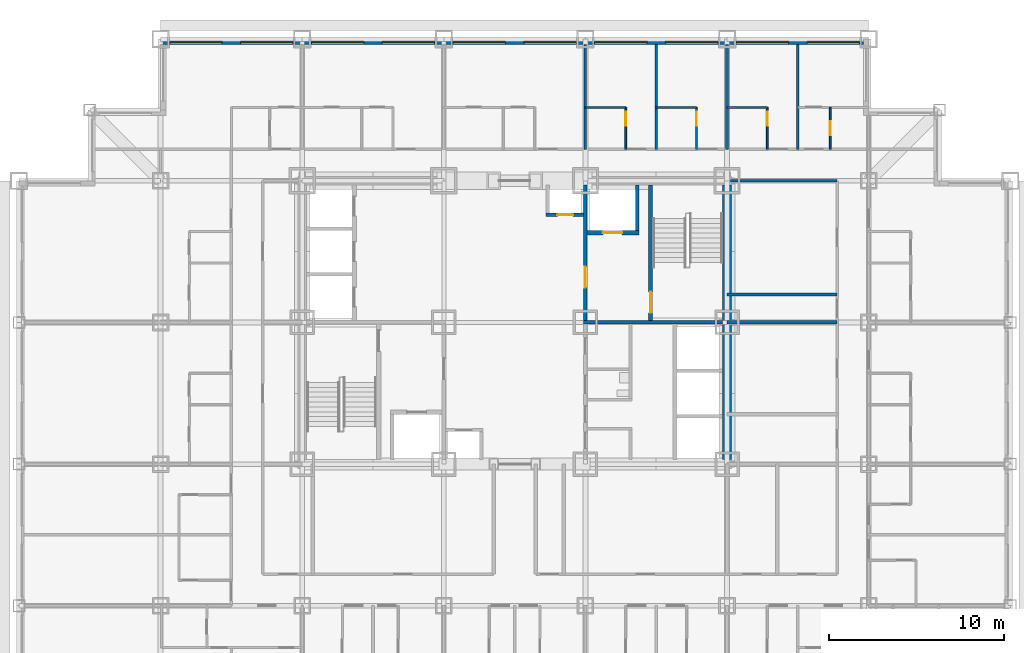
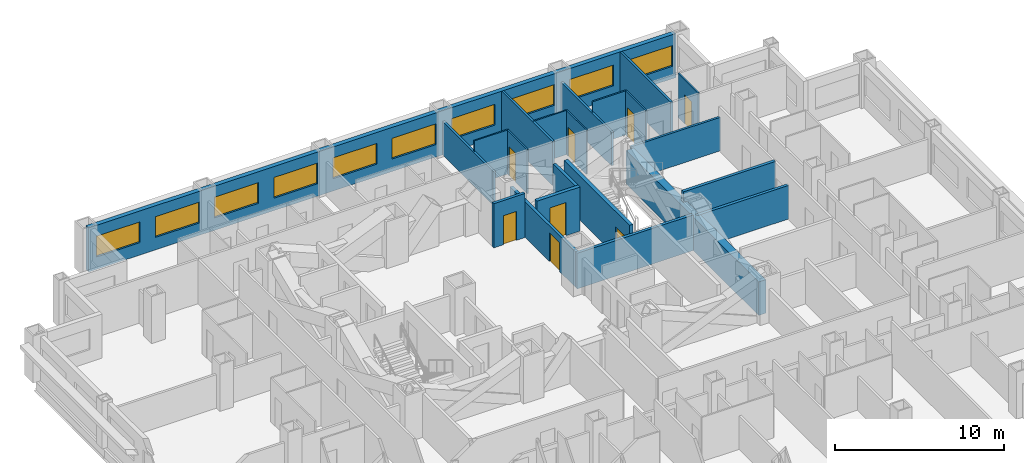
# One storey, part 9 of 12: 22 walls, 10 windows, 8 doors, 18 openings.
"""IFC4 building model written with IfcOpenShell, lengths in metres."""

from ifc_helpers import new_model, si_unit, direction, frame, frame_2d, origin, place, context, subcontext, project, spatial, rectangle, extrude, material, layer, layer_set, type_object, element, fill, save


model = new_model("IFC4")

# Units and contexts
model_context = context("Model", 3, precision=1e-05, world=origin(), true_north=direction((0.0, 1.0)))
body_context = subcontext(model_context, "Body", "Model", "MODEL_VIEW")
ifc_project = project(units=[si_unit("LENGTHUNIT", "METRE"), si_unit("AREAUNIT", "SQUARE_METRE"), si_unit("VOLUMEUNIT", "CUBIC_METRE"), si_unit("PLANEANGLEUNIT", "RADIAN"), si_unit("MASSUNIT", "GRAM", prefix="KILO")], contexts=[model_context])

# Site, building, storey
site_placement = place(None, origin())
site = spatial("IfcSite", under=ifc_project, at=site_placement, CompositionType="ELEMENT")
building_placement = place(site_placement, origin())
building = spatial("IfcBuilding", under=site, at=building_placement, Name="Kopane Lantern Tower", CompositionType="ELEMENT")
storey_placement = place(building_placement, frame((0.0, 0.0, 80.60009765625)))
storey = spatial("IfcBuildingStorey", under=building, at=storey_placement, Name="L20", CompositionType="ELEMENT", Elevation=80.60009765625)

# Wall
ifc_material_1 = material(Name="Moisture-resistant board on steel studs", Category="steel")
ifc_layer_1 = layer(ifc_material_1, 0.10009765625)
ifc_layer_set_1 = layer_set([ifc_layer_1], Name="BATHROOM WALL 100")
wall_type_1 = type_object("IfcWallType", Name="BATHROOM WALL 100", PredefinedType="PARTITIONING", material=ifc_layer_set_1)
wall_1_placement = place(storey_placement, frame((32.39990234375, 44.699951171875, 0.0), z_axis=(0.0, 0.0, 1.0), x_axis=(1.0, 0.0, 0.0)))
element("IfcWall", 1, at=wall_1_placement, inside=storey, type_object=wall_type_1, Name="Bathroom Wall 100 L20", PredefinedType="PARTITIONING", context=body_context, shape_type="SweptSolid", body=[
    extrude(rectangle(XDim=2.300048828125, YDim=0.10009765625, at=frame_2d((1.14990234375, 0.0))), origin(), (0.0, 0.0, 1.0), 3.18994140625),
])

# Wall, opening, door
wall_2_placement = place(storey_placement, frame((34.699951171875, 42.300048828125, 0.0), z_axis=(0.0, 0.0, 1.0), x_axis=(0.0, 1.0, 0.0)))
wall_2 = element("IfcWall", 2, at=wall_2_placement, inside=storey, type_object=wall_type_1, Name="Bathroom Wall 100 L20", PredefinedType="PARTITIONING", context=body_context, shape_type="SweptSolid", body=[
    extrude(rectangle(XDim=2.39990234375, YDim=0.10009765625, at=frame_2d((1.199951171875, 0.0))), origin(), (0.0, 0.0, 1.0), 3.18994140625),
])
opening_1_placement = place(wall_2_placement, frame((1.35009765625, 0.0, 0.0)))
opening_1 = element("IfcOpeningElement", 3, at=opening_1_placement, cuts=wall_2, Name="Opening L20-033", PredefinedType="OPENING", context=body_context, shape_type="SweptSolid", body=[
    extrude(rectangle(XDim=0.800048828125, YDim=2.10009765625, at=frame_2d((0.39990234375, 1.050048828125))), frame((0.0, 0.06005859375, 0.0), z_axis=(0.0, -1.0, 0.0), x_axis=(1.0, 0.0, 0.0)), (0.0, 0.0, 1.0), 0.1201171875),
])
ifc_material_2 = material(Name="Timber door set", Category="wood")
door_type_1 = type_object("IfcDoorType", Name="DOOR D2 800x2100", OperationType="SINGLE_SWING_LEFT", PredefinedType="DOOR", material=ifc_material_2)
door_1_placement = place(opening_1_placement, origin())
door_1 = element("IfcDoor", 4, at=door_1_placement, inside=storey, type_object=door_type_1, Name="Door L20-033", OperationType="SINGLE_SWING_RIGHT", OverallHeight=2.10009765625, OverallWidth=0.800048828125, PredefinedType="DOOR", context=body_context, shape_type="SweptSolid", body=[
    extrude(rectangle(XDim=0.800048828125, YDim=2.10009765625, at=frame_2d((0.39990234375, 1.050048828125))), frame((0.0, 0.02490234375, 0.0), z_axis=(0.0, -1.0, 0.0), x_axis=(1.0, 0.0, 0.0)), (0.0, 0.0, 1.0), 0.050048828125),
])
fill(opening_1, door_1)

# Wall
wall_3_placement = place(storey_placement, frame((36.449951171875, 44.699951171875, 0.0), z_axis=(0.0, 0.0, 1.0), x_axis=(1.0, 0.0, 0.0)))
element("IfcWall", 5, at=wall_3_placement, inside=storey, type_object=wall_type_1, Name="Bathroom Wall 100 L20", PredefinedType="PARTITIONING", context=body_context, shape_type="SweptSolid", body=[
    extrude(rectangle(XDim=2.300048828125, YDim=0.10009765625, at=frame_2d((1.14990234375, 0.0))), origin(), (0.0, 0.0, 1.0), 3.18994140625),
])

# Wall, opening, door
wall_4_placement = place(storey_placement, frame((38.75, 42.300048828125, 0.0), z_axis=(0.0, 0.0, 1.0), x_axis=(0.0, 1.0, 0.0)))
wall_4 = element("IfcWall", 6, at=wall_4_placement, inside=storey, type_object=wall_type_1, Name="Bathroom Wall 100 L20", PredefinedType="PARTITIONING", context=body_context, shape_type="SweptSolid", body=[
    extrude(rectangle(XDim=2.39990234375, YDim=0.10009765625, at=frame_2d((1.199951171875, 0.0))), origin(), (0.0, 0.0, 1.0), 3.18994140625),
])
opening_2_placement = place(wall_4_placement, frame((1.35009765625, 0.0, 0.0)))
opening_2 = element("IfcOpeningElement", 7, at=opening_2_placement, cuts=wall_4, Name="Opening L20-035", PredefinedType="OPENING", context=body_context, shape_type="SweptSolid", body=[
    extrude(rectangle(XDim=0.800048828125, YDim=2.10009765625, at=frame_2d((0.39990234375, 1.050048828125))), frame((0.0, 0.06005859375, 0.0), z_axis=(0.0, -1.0, 0.0), x_axis=(1.0, 0.0, 0.0)), (0.0, 0.0, 1.0), 0.1201171875),
])
door_2_placement = place(opening_2_placement, origin())
door_2 = element("IfcDoor", 8, at=door_2_placement, inside=storey, type_object=door_type_1, Name="Door L20-035", OperationType="SINGLE_SWING_RIGHT", OverallHeight=2.10009765625, OverallWidth=0.800048828125, PredefinedType="DOOR", context=body_context, shape_type="SweptSolid", body=[
    extrude(rectangle(XDim=0.800048828125, YDim=2.10009765625, at=frame_2d((0.39990234375, 1.050048828125))), frame((0.0, 0.02490234375, 0.0), z_axis=(0.0, -1.0, 0.0), x_axis=(1.0, 0.0, 0.0)), (0.0, 0.0, 1.0), 0.050048828125),
])
fill(opening_2, door_2)

# Wall
wall_5_placement = place(storey_placement, frame((40.5, 44.699951171875, 0.0), z_axis=(0.0, 0.0, 1.0), x_axis=(1.0, 0.0, 0.0)))
element("IfcWall", 9, at=wall_5_placement, inside=storey, type_object=wall_type_1, Name="Bathroom Wall 100 L20", PredefinedType="PARTITIONING", context=body_context, shape_type="SweptSolid", body=[
    extrude(rectangle(XDim=2.300048828125, YDim=0.10009765625, at=frame_2d((1.14990234375, 0.0))), origin(), (0.0, 0.0, 1.0), 3.18994140625),
])

# Wall, opening, door
wall_6_placement = place(storey_placement, frame((42.800048828125, 42.300048828125, 0.0), z_axis=(0.0, 0.0, 1.0), x_axis=(0.0, 1.0, 0.0)))
wall_6 = element("IfcWall", 10, at=wall_6_placement, inside=storey, type_object=wall_type_1, Name="Bathroom Wall 100 L20", PredefinedType="PARTITIONING", context=body_context, shape_type="SweptSolid", body=[
    extrude(rectangle(XDim=2.39990234375, YDim=0.10009765625, at=frame_2d((1.199951171875, 0.0))), origin(), (0.0, 0.0, 1.0), 3.18994140625),
])
opening_3_placement = place(wall_6_placement, frame((1.35009765625, 0.0, 0.0)))
opening_3 = element("IfcOpeningElement", 11, at=opening_3_placement, cuts=wall_6, Name="Opening L20-037", PredefinedType="OPENING", context=body_context, shape_type="SweptSolid", body=[
    extrude(rectangle(XDim=0.800048828125, YDim=2.10009765625, at=frame_2d((0.39990234375, 1.050048828125))), frame((0.0, 0.06005859375, 0.0), z_axis=(0.0, -1.0, 0.0), x_axis=(1.0, 0.0, 0.0)), (0.0, 0.0, 1.0), 0.1201171875),
])
door_3_placement = place(opening_3_placement, origin())
door_3 = element("IfcDoor", 12, at=door_3_placement, inside=storey, type_object=door_type_1, Name="Door L20-037", OperationType="SINGLE_SWING_RIGHT", OverallHeight=2.10009765625, OverallWidth=0.800048828125, PredefinedType="DOOR", context=body_context, shape_type="SweptSolid", body=[
    extrude(rectangle(XDim=0.800048828125, YDim=2.10009765625, at=frame_2d((0.39990234375, 1.050048828125))), frame((0.0, 0.02490234375, 0.0), z_axis=(0.0, -1.0, 0.0), x_axis=(1.0, 0.0, 0.0)), (0.0, 0.0, 1.0), 0.050048828125),
])
fill(opening_3, door_3)

wall_7_placement = place(storey_placement, frame((46.39990234375, 42.300048828125, 0.0), z_axis=(0.0, 0.0, 1.0), x_axis=(0.0, 1.0, 0.0)))
wall_7 = element("IfcWall", 13, at=wall_7_placement, inside=storey, type_object=wall_type_1, Name="Bathroom Wall 100 L20", PredefinedType="PARTITIONING", context=body_context, shape_type="SweptSolid", body=[
    extrude(rectangle(XDim=2.39990234375, YDim=0.10009765625, at=frame_2d((1.199951171875, 0.0))), origin(), (0.0, 0.0, 1.0), 3.18994140625),
])
opening_4_placement = place(wall_7_placement, frame((0.800048828125, 0.0, 0.0)))
opening_4 = element("IfcOpeningElement", 14, at=opening_4_placement, cuts=wall_7, Name="Opening L20-067", PredefinedType="OPENING", context=body_context, shape_type="SweptSolid", body=[
    extrude(rectangle(XDim=0.800048828125, YDim=2.10009765625, at=frame_2d((0.39990234375, 1.050048828125))), frame((0.0, 0.06005859375, 0.0), z_axis=(0.0, -1.0, 0.0), x_axis=(1.0, 0.0, 0.0)), (0.0, 0.0, 1.0), 0.1201171875),
])
door_4_placement = place(opening_4_placement, origin())
door_4 = element("IfcDoor", 15, at=door_4_placement, inside=storey, type_object=door_type_1, Name="Door L20-067", OperationType="SINGLE_SWING_RIGHT", OverallHeight=2.10009765625, OverallWidth=0.800048828125, PredefinedType="DOOR", context=body_context, shape_type="SweptSolid", body=[
    extrude(rectangle(XDim=0.800048828125, YDim=2.10009765625, at=frame_2d((0.39990234375, 1.050048828125))), frame((0.0, 0.02490234375, 0.0), z_axis=(0.0, -1.0, 0.0), x_axis=(1.0, 0.0, 0.0)), (0.0, 0.0, 1.0), 0.050048828125),
])
fill(opening_4, door_4)

# Wall
ifc_material_3 = material(Name="Gypsum shaft wall EI 120", Category="gypsum")
ifc_layer_2 = layer(ifc_material_3, 0.5)
ifc_layer_set_2 = layer_set([ifc_layer_2], Name="CORE PERIMETER WALL 500 EI 120")
wall_type_2 = type_object("IfcWallType", Name="CORE PERIMETER WALL 500 EI 120", PredefinedType="SOLIDWALL", material=ifc_layer_set_2)
wall_8_placement = place(storey_placement, frame((40.5, 24.550048828125, 0.0), z_axis=(0.0, 0.0, 1.0), x_axis=(0.0, 1.0, 0.0)))
element("IfcWall", 16, at=wall_8_placement, inside=storey, type_object=wall_type_2, Name="Core shaft wall L20 PE", PredefinedType="SOLIDWALL", context=body_context, shape_type="SweptSolid", body=[
    extrude(rectangle(XDim=15.699951171875, YDim=0.5, at=frame_2d((7.85009765625, 0.0))), origin(), (0.0, 0.0, 1.0), 2.427734375),
])

# Wall, opening, door
ifc_material_4 = material(Name="Gypsum shaft wall EI 120", Category="gypsum")
ifc_layer_3 = layer(ifc_material_4, 0.25)
ifc_layer_set_3 = layer_set([ifc_layer_3], Name="CORE SHAFT WALL 250 EI 120")
wall_type_3 = type_object("IfcWallType", Name="CORE SHAFT WALL 250 EI 120", PredefinedType="SOLIDWALL", material=ifc_layer_set_3)
wall_9_placement = place(storey_placement, frame((36.125, 32.5, 0.0), z_axis=(0.0, 0.0, 1.0), x_axis=(0.0, 1.0, 0.0)))
wall_9 = element("IfcWall", 17, at=wall_9_placement, inside=storey, type_object=wall_type_3, Name="Core shaft wall L20 XST2", PredefinedType="SOLIDWALL", context=body_context, shape_type="SweptSolid", body=[
    extrude(rectangle(XDim=7.75, YDim=0.25, at=frame_2d((3.875, 0.0))), origin(), (0.0, 0.0, 1.0), 3.18994140625),
])
opening_5_placement = place(wall_9_placement, frame((0.449951171875, 0.0, 0.0)))
opening_5 = element("IfcOpeningElement", 18, at=opening_5_placement, cuts=wall_9, Name="Opening 20.SD2", PredefinedType="OPENING", context=body_context, shape_type="SweptSolid", body=[
    extrude(rectangle(XDim=1.199951171875, YDim=2.10009765625, at=frame_2d((0.60009765625, 1.050048828125))), frame((0.0, 0.135009765625, 0.0), z_axis=(0.0, -1.0, 0.0), x_axis=(1.0, 0.0, 0.0)), (0.0, 0.0, 1.0), 0.27001953125),
])
ifc_material_5 = material(Name="Steel door set", Category="steel")
door_type_2 = type_object("IfcDoorType", Name="STAIR DOOR 1200x2100 FD60S", OperationType="SINGLE_SWING_LEFT", PredefinedType="DOOR", material=ifc_material_5)
door_5_placement = place(opening_5_placement, origin())
door_5 = element("IfcDoor", 19, at=door_5_placement, inside=storey, type_object=door_type_2, Name="Stair door ST2 L20", OperationType="SINGLE_SWING_RIGHT", OverallHeight=2.10009765625, OverallWidth=1.199951171875, PredefinedType="DOOR", context=body_context, shape_type="SweptSolid", body=[
    extrude(rectangle(XDim=1.199951171875, YDim=2.10009765625, at=frame_2d((0.60009765625, 1.050048828125))), frame((0.0, 0.02490234375, 0.0), z_axis=(0.0, -1.0, 0.0), x_axis=(1.0, 0.0, 0.0)), (0.0, 0.0, 1.0), 0.050048828125),
])
fill(opening_5, door_5)

wall_10_placement = place(storey_placement, frame((32.5, 37.52490234375, 0.0), z_axis=(0.0, 0.0, 1.0), x_axis=(1.0, 0.0, 0.0)))
wall_10 = element("IfcWall", 20, at=wall_10_placement, inside=storey, type_object=wall_type_3, Name="Core shaft wall L20 YLF2", PredefinedType="SOLIDWALL", context=body_context, shape_type="SweptSolid", body=[
    extrude(rectangle(XDim=2.949951171875, YDim=0.25, at=frame_2d((1.47509765625, 0.0))), origin(), (0.0, 0.0, 1.0), 3.18994140625),
])
opening_6_placement = place(wall_10_placement, frame((0.89990234375, 0.0, 0.0)))
opening_6 = element("IfcOpeningElement", 21, at=opening_6_placement, cuts=wall_10, Name="Opening 20.LD-LF2", PredefinedType="OPENING", context=body_context, shape_type="SweptSolid", body=[
    extrude(rectangle(XDim=1.10009765625, YDim=2.39990234375, at=frame_2d((0.550048828125, 1.199951171875))), frame((0.0, 0.135009765625, 0.0), z_axis=(0.0, -1.0, 0.0), x_axis=(1.0, 0.0, 0.0)), (0.0, 0.0, 1.0), 0.27001953125),
])
ifc_material_6 = material(Name="Steel door set", Category="steel")
door_type_3 = type_object("IfcDoorType", Name="LIFT LANDING DOOR 1100x2400 FD60", OperationType="DOUBLE_DOOR_SLIDING", PredefinedType="DOOR", material=ifc_material_6)
door_6_placement = place(opening_6_placement, origin())
door_6 = element("IfcDoor", 22, at=door_6_placement, inside=storey, type_object=door_type_3, Name="Landing door LF2 L20", OperationType="DOUBLE_DOOR_SLIDING", OverallHeight=2.39990234375, OverallWidth=1.10009765625, PredefinedType="DOOR", context=body_context, shape_type="SweptSolid", body=[
    extrude(rectangle(XDim=1.10009765625, YDim=2.39990234375, at=frame_2d((0.550048828125, 1.199951171875))), frame((0.0, 0.02490234375, 0.0), z_axis=(0.0, -1.0, 0.0), x_axis=(1.0, 0.0, 0.0)), (0.0, 0.0, 1.0), 0.050048828125),
])
fill(opening_6, door_6)

# Walls
ifc_material_7 = material(Name="Gypsum board on steel studs", Category="steel")
ifc_layer_4 = layer(ifc_material_7, 0.14990234375)
ifc_layer_set_4 = layer_set([ifc_layer_4], Name="CORRIDOR WALL 150 EI 60")
wall_type_4 = type_object("IfcWallType", Name="CORRIDOR WALL 150 EI 60", PredefinedType="PARTITIONING", material=ifc_layer_set_4)
wall_11_placement = place(storey_placement, frame((46.800048828125, 40.5, 0.0), z_axis=(0.0, 0.0, 1.0), x_axis=(-1.0, 0.0, 0.0)))
element("IfcWall", 23, at=wall_11_placement, inside=storey, type_object=wall_type_4, Name="Corridor Wall 150 Ei 60 L20", PredefinedType="PARTITIONING", context=body_context, shape_type="SweptSolid", body=[
    extrude(rectangle(XDim=6.10009765625, YDim=0.14990234375, at=frame_2d((3.050048828125, 0.0))), origin(), (0.0, 0.0, 1.0), 2.427734375),
])
ifc_material_8 = material(Name="Gypsum board on steel studs", Category="steel")
ifc_layer_5 = layer(ifc_material_8, 0.14990234375)
ifc_layer_set_5 = layer_set([ifc_layer_5], Name="DEMISING WALL 150 EI 60")
wall_type_5 = type_object("IfcWallType", Name="DEMISING WALL 150 EI 60", PredefinedType="PARTITIONING", material=ifc_layer_set_5)
wall_12_placement = place(storey_placement, frame((32.39990234375, 42.300048828125, 0.0), z_axis=(0.0, 0.0, 1.0), x_axis=(0.0, 1.0, 0.0)))
element("IfcWall", 24, at=wall_12_placement, inside=storey, type_object=wall_type_5, Name="Demising Wall 150 Ei 60 L20", PredefinedType="PARTITIONING", context=body_context, shape_type="SweptSolid", body=[
    extrude(rectangle(XDim=6.0, YDim=0.14990234375, at=frame_2d((3.0, 0.0))), origin(), (0.0, 0.0, 1.0), 2.427734375),
])
wall_13_placement = place(storey_placement, frame((36.449951171875, 42.300048828125, 0.0), z_axis=(0.0, 0.0, 1.0), x_axis=(0.0, 1.0, 0.0)))
element("IfcWall", 25, at=wall_13_placement, inside=storey, type_object=wall_type_5, Name="Demising Wall 150 Ei 60 L20", PredefinedType="PARTITIONING", context=body_context, shape_type="SweptSolid", body=[
    extrude(rectangle(XDim=6.0, YDim=0.14990234375, at=frame_2d((3.0, 0.0))), origin(), (0.0, 0.0, 1.0), 3.18994140625),
])
wall_14_placement = place(storey_placement, frame((40.5, 42.300048828125, 0.0), z_axis=(0.0, 0.0, 1.0), x_axis=(0.0, 1.0, 0.0)))
element("IfcWall", 26, at=wall_14_placement, inside=storey, type_object=wall_type_5, Name="Demising Wall 150 Ei 60 L20", PredefinedType="PARTITIONING", context=body_context, shape_type="SweptSolid", body=[
    extrude(rectangle(XDim=6.0, YDim=0.14990234375, at=frame_2d((3.0, 0.0))), origin(), (0.0, 0.0, 1.0), 2.427734375),
])
wall_15_placement = place(storey_placement, frame((44.550048828125, 42.300048828125, 0.0), z_axis=(0.0, 0.0, 1.0), x_axis=(0.0, 1.0, 0.0)))
element("IfcWall", 27, at=wall_15_placement, inside=storey, type_object=wall_type_5, Name="Demising Wall 150 Ei 60 L20", PredefinedType="PARTITIONING", context=body_context, shape_type="SweptSolid", body=[
    extrude(rectangle(XDim=6.0, YDim=0.14990234375, at=frame_2d((3.0, 0.0))), origin(), (0.0, 0.0, 1.0), 3.18994140625),
])

# Wall, openings, windows
ifc_material_9 = material(Name="Terracotta rainscreen on light steel framing", Category="masonry")
ifc_layer_6 = layer(ifc_material_9, 0.300048828125)
ifc_layer_set_6 = layer_set([ifc_layer_6], Name="EXTERNAL WALL EW1 300 TERRACOTTA")
wall_type_6 = type_object("IfcWallType", Name="EXTERNAL WALL EW1 300 TERRACOTTA", PredefinedType="SOLIDWALL", material=ifc_layer_set_6)
wall_16_placement = place(storey_placement, frame((48.300048828125, 48.449951171875, 0.0), z_axis=(0.0, 0.0, 1.0), x_axis=(-1.0, 0.0, 0.0)))
wall_16 = element("IfcWall", 28, at=wall_16_placement, inside=storey, type_object=wall_type_6, Name="External wall N L20", PredefinedType="SOLIDWALL", context=body_context, shape_type="SweptSolid", body=[
    extrude(rectangle(XDim=40.199951171875, YDim=0.300048828125, at=frame_2d((20.10009765625, 0.0))), origin(), (0.0, 0.0, 1.0), 3.18994140625),
])
opening_7_placement = place(wall_16_placement, frame((0.22509765625, 0.0, 0.89990234375)))
opening_7 = element("IfcOpeningElement", 29, at=opening_7_placement, cuts=wall_16, Name="Opening WR300150", PredefinedType="OPENING", context=body_context, shape_type="SweptSolid", body=[
    extrude(rectangle(XDim=3.0, YDim=1.5, at=frame_2d((1.5, 0.75))), frame((0.0, 0.159912109375, 0.0), z_axis=(0.0, -1.0, 0.0), x_axis=(1.0, 0.0, 0.0)), (0.0, 0.0, 1.0), 0.320068359375),
])
opening_8_placement = place(wall_16_placement, frame((4.27490234375, 0.0, 0.89990234375)))
opening_8 = element("IfcOpeningElement", 30, at=opening_8_placement, cuts=wall_16, Name="Opening WR300150", PredefinedType="OPENING", context=body_context, shape_type="SweptSolid", body=[
    extrude(rectangle(XDim=3.0, YDim=1.5, at=frame_2d((1.5, 0.75))), frame((0.0, 0.159912109375, 0.0), z_axis=(0.0, -1.0, 0.0), x_axis=(1.0, 0.0, 0.0)), (0.0, 0.0, 1.0), 0.320068359375),
])
opening_9_placement = place(wall_16_placement, frame((8.324951171875, 0.0, 0.89990234375)))
opening_9 = element("IfcOpeningElement", 31, at=opening_9_placement, cuts=wall_16, Name="Opening WR300150", PredefinedType="OPENING", context=body_context, shape_type="SweptSolid", body=[
    extrude(rectangle(XDim=3.0, YDim=1.5, at=frame_2d((1.5, 0.75))), frame((0.0, 0.159912109375, 0.0), z_axis=(0.0, -1.0, 0.0), x_axis=(1.0, 0.0, 0.0)), (0.0, 0.0, 1.0), 0.320068359375),
])
opening_10_placement = place(wall_16_placement, frame((12.375, 0.0, 0.89990234375)))
opening_10 = element("IfcOpeningElement", 32, at=opening_10_placement, cuts=wall_16, Name="Opening WR300150", PredefinedType="OPENING", context=body_context, shape_type="SweptSolid", body=[
    extrude(rectangle(XDim=3.0, YDim=1.5, at=frame_2d((1.5, 0.75))), frame((0.0, 0.159912109375, 0.0), z_axis=(0.0, -1.0, 0.0), x_axis=(1.0, 0.0, 0.0)), (0.0, 0.0, 1.0), 0.320068359375),
])
opening_11_placement = place(wall_16_placement, frame((16.425048828125, 0.0, 0.89990234375)))
opening_11 = element("IfcOpeningElement", 33, at=opening_11_placement, cuts=wall_16, Name="Opening WR300150", PredefinedType="OPENING", context=body_context, shape_type="SweptSolid", body=[
    extrude(rectangle(XDim=3.0, YDim=1.5, at=frame_2d((1.5, 0.75))), frame((0.0, 0.159912109375, 0.0), z_axis=(0.0, -1.0, 0.0), x_axis=(1.0, 0.0, 0.0)), (0.0, 0.0, 1.0), 0.320068359375),
])
opening_12_placement = place(wall_16_placement, frame((20.47509765625, 0.0, 0.89990234375)))
opening_12 = element("IfcOpeningElement", 34, at=opening_12_placement, cuts=wall_16, Name="Opening WR300150", PredefinedType="OPENING", context=body_context, shape_type="SweptSolid", body=[
    extrude(rectangle(XDim=3.0, YDim=1.5, at=frame_2d((1.5, 0.75))), frame((0.0, 0.159912109375, 0.0), z_axis=(0.0, -1.0, 0.0), x_axis=(1.0, 0.0, 0.0)), (0.0, 0.0, 1.0), 0.320068359375),
])
opening_13_placement = place(wall_16_placement, frame((24.52490234375, 0.0, 0.89990234375)))
opening_13 = element("IfcOpeningElement", 35, at=opening_13_placement, cuts=wall_16, Name="Opening WR300150", PredefinedType="OPENING", context=body_context, shape_type="SweptSolid", body=[
    extrude(rectangle(XDim=3.0, YDim=1.5, at=frame_2d((1.5, 0.75))), frame((0.0, 0.159912109375, 0.0), z_axis=(0.0, -1.0, 0.0), x_axis=(1.0, 0.0, 0.0)), (0.0, 0.0, 1.0), 0.320068359375),
])
opening_14_placement = place(wall_16_placement, frame((28.574951171875, 0.0, 0.89990234375)))
opening_14 = element("IfcOpeningElement", 36, at=opening_14_placement, cuts=wall_16, Name="Opening WR300150", PredefinedType="OPENING", context=body_context, shape_type="SweptSolid", body=[
    extrude(rectangle(XDim=3.0, YDim=1.5, at=frame_2d((1.5, 0.75))), frame((0.0, 0.159912109375, 0.0), z_axis=(0.0, -1.0, 0.0), x_axis=(1.0, 0.0, 0.0)), (0.0, 0.0, 1.0), 0.320068359375),
])
opening_15_placement = place(wall_16_placement, frame((32.625, 0.0, 0.89990234375)))
opening_15 = element("IfcOpeningElement", 37, at=opening_15_placement, cuts=wall_16, Name="Opening WR300150", PredefinedType="OPENING", context=body_context, shape_type="SweptSolid", body=[
    extrude(rectangle(XDim=3.0, YDim=1.5, at=frame_2d((1.5, 0.75))), frame((0.0, 0.159912109375, 0.0), z_axis=(0.0, -1.0, 0.0), x_axis=(1.0, 0.0, 0.0)), (0.0, 0.0, 1.0), 0.320068359375),
])
opening_16_placement = place(wall_16_placement, frame((36.675048828125, 0.0, 0.89990234375)))
opening_16 = element("IfcOpeningElement", 38, at=opening_16_placement, cuts=wall_16, Name="Opening WR300150", PredefinedType="OPENING", context=body_context, shape_type="SweptSolid", body=[
    extrude(rectangle(XDim=3.0, YDim=1.5, at=frame_2d((1.5, 0.75))), frame((0.0, 0.159912109375, 0.0), z_axis=(0.0, -1.0, 0.0), x_axis=(1.0, 0.0, 0.0)), (0.0, 0.0, 1.0), 0.320068359375),
])
ifc_material_10 = material(Name="Aluminium and clear glass", Category="aluminium")
window_type = type_object("IfcWindowType", Name="RIBBON WINDOW WR300150 3000x1500", PartitioningType="SINGLE_PANEL", PredefinedType="WINDOW", material=ifc_material_10)
window_1_placement = place(opening_7_placement, origin())
window_1 = element("IfcWindow", 39, at=window_1_placement, inside=storey, type_object=window_type, Name="Window N L20", OverallHeight=1.5, OverallWidth=3.0, PartitioningType="SINGLE_PANEL", PredefinedType="WINDOW", context=body_context, shape_type="SweptSolid", body=[
    extrude(rectangle(XDim=3.0, YDim=1.5, at=frame_2d((1.5, 0.75))), frame((0.0, 0.030029296875, 0.0), z_axis=(0.0, -1.0, 0.0), x_axis=(1.0, 0.0, 0.0)), (0.0, 0.0, 1.0), 0.06005859375),
])
fill(opening_7, window_1)
window_2_placement = place(opening_8_placement, origin())
window_2 = element("IfcWindow", 40, at=window_2_placement, inside=storey, type_object=window_type, Name="Window N L20", OverallHeight=1.5, OverallWidth=3.0, PartitioningType="SINGLE_PANEL", PredefinedType="WINDOW", context=body_context, shape_type="SweptSolid", body=[
    extrude(rectangle(XDim=3.0, YDim=1.5, at=frame_2d((1.5, 0.75))), frame((0.0, 0.030029296875, 0.0), z_axis=(0.0, -1.0, 0.0), x_axis=(1.0, 0.0, 0.0)), (0.0, 0.0, 1.0), 0.06005859375),
])
fill(opening_8, window_2)
window_3_placement = place(opening_9_placement, origin())
window_3 = element("IfcWindow", 41, at=window_3_placement, inside=storey, type_object=window_type, Name="Window N L20", OverallHeight=1.5, OverallWidth=3.0, PartitioningType="SINGLE_PANEL", PredefinedType="WINDOW", context=body_context, shape_type="SweptSolid", body=[
    extrude(rectangle(XDim=3.0, YDim=1.5, at=frame_2d((1.5, 0.75))), frame((0.0, 0.030029296875, 0.0), z_axis=(0.0, -1.0, 0.0), x_axis=(1.0, 0.0, 0.0)), (0.0, 0.0, 1.0), 0.06005859375),
])
fill(opening_9, window_3)
window_4_placement = place(opening_10_placement, origin())
window_4 = element("IfcWindow", 42, at=window_4_placement, inside=storey, type_object=window_type, Name="Window N L20", OverallHeight=1.5, OverallWidth=3.0, PartitioningType="SINGLE_PANEL", PredefinedType="WINDOW", context=body_context, shape_type="SweptSolid", body=[
    extrude(rectangle(XDim=3.0, YDim=1.5, at=frame_2d((1.5, 0.75))), frame((0.0, 0.030029296875, 0.0), z_axis=(0.0, -1.0, 0.0), x_axis=(1.0, 0.0, 0.0)), (0.0, 0.0, 1.0), 0.06005859375),
])
fill(opening_10, window_4)
window_5_placement = place(opening_11_placement, origin())
window_5 = element("IfcWindow", 43, at=window_5_placement, inside=storey, type_object=window_type, Name="Window N L20", OverallHeight=1.5, OverallWidth=3.0, PartitioningType="SINGLE_PANEL", PredefinedType="WINDOW", context=body_context, shape_type="SweptSolid", body=[
    extrude(rectangle(XDim=3.0, YDim=1.5, at=frame_2d((1.5, 0.75))), frame((0.0, 0.030029296875, 0.0), z_axis=(0.0, -1.0, 0.0), x_axis=(1.0, 0.0, 0.0)), (0.0, 0.0, 1.0), 0.06005859375),
])
fill(opening_11, window_5)
window_6_placement = place(opening_12_placement, origin())
window_6 = element("IfcWindow", 44, at=window_6_placement, inside=storey, type_object=window_type, Name="Window N L20", OverallHeight=1.5, OverallWidth=3.0, PartitioningType="SINGLE_PANEL", PredefinedType="WINDOW", context=body_context, shape_type="SweptSolid", body=[
    extrude(rectangle(XDim=3.0, YDim=1.5, at=frame_2d((1.5, 0.75))), frame((0.0, 0.030029296875, 0.0), z_axis=(0.0, -1.0, 0.0), x_axis=(1.0, 0.0, 0.0)), (0.0, 0.0, 1.0), 0.06005859375),
])
fill(opening_12, window_6)
window_7_placement = place(opening_13_placement, origin())
window_7 = element("IfcWindow", 45, at=window_7_placement, inside=storey, type_object=window_type, Name="Window N L20", OverallHeight=1.5, OverallWidth=3.0, PartitioningType="SINGLE_PANEL", PredefinedType="WINDOW", context=body_context, shape_type="SweptSolid", body=[
    extrude(rectangle(XDim=3.0, YDim=1.5, at=frame_2d((1.5, 0.75))), frame((0.0, 0.030029296875, 0.0), z_axis=(0.0, -1.0, 0.0), x_axis=(1.0, 0.0, 0.0)), (0.0, 0.0, 1.0), 0.06005859375),
])
fill(opening_13, window_7)
window_8_placement = place(opening_14_placement, origin())
window_8 = element("IfcWindow", 46, at=window_8_placement, inside=storey, type_object=window_type, Name="Window N L20", OverallHeight=1.5, OverallWidth=3.0, PartitioningType="SINGLE_PANEL", PredefinedType="WINDOW", context=body_context, shape_type="SweptSolid", body=[
    extrude(rectangle(XDim=3.0, YDim=1.5, at=frame_2d((1.5, 0.75))), frame((0.0, 0.030029296875, 0.0), z_axis=(0.0, -1.0, 0.0), x_axis=(1.0, 0.0, 0.0)), (0.0, 0.0, 1.0), 0.06005859375),
])
fill(opening_14, window_8)
window_9_placement = place(opening_15_placement, origin())
window_9 = element("IfcWindow", 47, at=window_9_placement, inside=storey, type_object=window_type, Name="Window N L20", OverallHeight=1.5, OverallWidth=3.0, PartitioningType="SINGLE_PANEL", PredefinedType="WINDOW", context=body_context, shape_type="SweptSolid", body=[
    extrude(rectangle(XDim=3.0, YDim=1.5, at=frame_2d((1.5, 0.75))), frame((0.0, 0.030029296875, 0.0), z_axis=(0.0, -1.0, 0.0), x_axis=(1.0, 0.0, 0.0)), (0.0, 0.0, 1.0), 0.06005859375),
])
fill(opening_15, window_9)
window_10_placement = place(opening_16_placement, origin())
window_10 = element("IfcWindow", 48, at=window_10_placement, inside=storey, type_object=window_type, Name="Window N L20", OverallHeight=1.5, OverallWidth=3.0, PartitioningType="SINGLE_PANEL", PredefinedType="WINDOW", context=body_context, shape_type="SweptSolid", body=[
    extrude(rectangle(XDim=3.0, YDim=1.5, at=frame_2d((1.5, 0.75))), frame((0.0, 0.030029296875, 0.0), z_axis=(0.0, -1.0, 0.0), x_axis=(1.0, 0.0, 0.0)), (0.0, 0.0, 1.0), 0.06005859375),
])
fill(opening_16, window_10)

# Walls
ifc_material_11 = material(Name="Concrete masonry", Category="masonry")
ifc_layer_7 = layer(ifc_material_11, 0.199951171875)
ifc_layer_set_7 = layer_set([ifc_layer_7], Name="PLANT ROOM WALL 200 EI 120")
wall_type_7 = type_object("IfcWallType", Name="PLANT ROOM WALL 200 EI 120", PredefinedType="SOLIDWALL", material=ifc_layer_set_7)
wall_17_placement = place(storey_placement, frame((40.5, 32.39990234375, 0.0), z_axis=(0.0, 0.0, 1.0), x_axis=(1.0, 0.0, 0.0)))
element("IfcWall", 49, at=wall_17_placement, inside=storey, type_object=wall_type_7, Name="Plant Room Wall 200 Ei 120 L20", PredefinedType="SOLIDWALL", context=body_context, shape_type="SweptSolid", body=[
    extrude(rectangle(XDim=6.300048828125, YDim=0.199951171875, at=frame_2d((3.14990234375, 0.0))), origin(), (0.0, 0.0, 1.0), 2.427734375),
])
wall_18_placement = place(storey_placement, frame((46.800048828125, 34.0, 0.0), z_axis=(0.0, 0.0, 1.0), x_axis=(-1.0, 0.0, 0.0)))
element("IfcWall", 50, at=wall_18_placement, inside=storey, type_object=wall_type_7, Name="Plant Room Wall 200 Ei 120 L20", PredefinedType="SOLIDWALL", context=body_context, shape_type="SweptSolid", body=[
    extrude(rectangle(XDim=6.300048828125, YDim=0.199951171875, at=frame_2d((3.14990234375, 0.0))), origin(), (0.0, 0.0, 1.0), 3.18994140625),
])
ifc_material_12 = material(Name="Gypsum shaft wall EI 120", Category="gypsum")
ifc_layer_8 = layer(ifc_material_12, 0.199951171875)
ifc_layer_set_8 = layer_set([ifc_layer_8], Name="SHAFT WALL 200 EI 120")
wall_type_8 = type_object("IfcWallType", Name="SHAFT WALL 200 EI 120", PredefinedType="SOLIDWALL", material=ifc_layer_set_8)
wall_19_placement = place(storey_placement, frame((32.300048828125, 32.39990234375, 0.0), z_axis=(0.0, 0.0, 1.0), x_axis=(1.0, 0.0, 0.0)))
element("IfcWall", 51, at=wall_19_placement, inside=storey, type_object=wall_type_8, Name="Core shaft wall L20 Y324E", PredefinedType="SOLIDWALL", context=body_context, shape_type="SweptSolid", body=[
    extrude(rectangle(XDim=7.949951171875, YDim=0.199951171875, at=frame_2d((3.97509765625, 0.0))), origin(), (0.0, 0.0, 1.0), 2.57763671875),
])

# Wall, opening, door
wall_20_placement = place(storey_placement, frame((32.39990234375, 32.5, 0.0), z_axis=(0.0, 0.0, 1.0), x_axis=(0.0, 1.0, 0.0)))
wall_20 = element("IfcWall", 52, at=wall_20_placement, inside=storey, type_object=wall_type_8, Name="Core shaft wall L20 X324", PredefinedType="SOLIDWALL", context=body_context, shape_type="SweptSolid", body=[
    extrude(rectangle(XDim=7.75, YDim=0.199951171875, at=frame_2d((3.875, 0.0))), origin(), (0.0, 0.0, 1.0), 2.57763671875),
])
opening_17_placement = place(wall_20_placement, frame((1.89990234375, 0.0, 0.0)))
opening_17 = element("IfcOpeningElement", 53, at=opening_17_placement, cuts=wall_20, Name="Opening 20.FL2", PredefinedType="OPENING", context=body_context, shape_type="SweptSolid", body=[
    extrude(rectangle(XDim=1.199951171875, YDim=2.10009765625, at=frame_2d((0.60009765625, 1.050048828125))), frame((0.0, 0.10986328125, 0.0), z_axis=(0.0, -1.0, 0.0), x_axis=(1.0, 0.0, 0.0)), (0.0, 0.0, 1.0), 0.219970703125),
])
ifc_material_13 = material(Name="Steel door set", Category="steel")
door_type_4 = type_object("IfcDoorType", Name="FIREFIGHTING LOBBY DOOR 1200x2100 FD60S", OperationType="SINGLE_SWING_RIGHT", PredefinedType="DOOR", material=ifc_material_13)
door_7_placement = place(opening_17_placement, origin())
door_7 = element("IfcDoor", 54, at=door_7_placement, inside=storey, type_object=door_type_4, Name="Firefighting lobby door FL2 L20", OperationType="SINGLE_SWING_LEFT", OverallHeight=2.10009765625, OverallWidth=1.199951171875, PredefinedType="DOOR", context=body_context, shape_type="SweptSolid", body=[
    extrude(rectangle(XDim=1.199951171875, YDim=2.10009765625, at=frame_2d((0.60009765625, 1.050048828125))), frame((0.0, 0.02490234375, 0.0), z_axis=(0.0, -1.0, 0.0), x_axis=(1.0, 0.0, 0.0)), (0.0, 0.0, 1.0), 0.050048828125),
])
fill(opening_17, door_7)

# Wall
wall_21_placement = place(storey_placement, frame((35.35009765625, 37.64990234375, 0.0), z_axis=(0.0, 0.0, 1.0), x_axis=(0.0, 1.0, 0.0)))
element("IfcWall", 55, at=wall_21_placement, inside=storey, type_object=wall_type_8, Name="Core shaft wall L20 XLF2", PredefinedType="SOLIDWALL", context=body_context, shape_type="SweptSolid", body=[
    extrude(rectangle(XDim=2.60009765625, YDim=0.199951171875, at=frame_2d((1.300048828125, 0.0))), origin(), (0.0, 0.0, 1.0), 3.18994140625),
])

# Wall, opening, door
wall_22_placement = place(storey_placement, frame((30.14990234375, 38.550048828125, 0.0), z_axis=(0.0, 0.0, 1.0), x_axis=(1.0, 0.0, 0.0)))
wall_22 = element("IfcWall", 56, at=wall_22_placement, inside=storey, type_object=wall_type_8, Name="Core shaft wall L20 YRS2", PredefinedType="SOLIDWALL", context=body_context, shape_type="SweptSolid", body=[
    extrude(rectangle(XDim=2.150146484375, YDim=0.199951171875, at=frame_2d((1.0751953125, 0.0))), origin(), (0.0, 0.0, 1.0), 3.18994140625),
])
opening_18_placement = place(wall_22_placement, frame((0.64990234375, 0.0, 0.0)))
opening_18 = element("IfcOpeningElement", 57, at=opening_18_placement, cuts=wall_22, Name="Opening 20.RS2", PredefinedType="OPENING", context=body_context, shape_type="SweptSolid", body=[
    extrude(rectangle(XDim=0.89990234375, YDim=2.10009765625, at=frame_2d((0.449951171875, 1.050048828125))), frame((0.0, 0.10986328125, 0.0), z_axis=(0.0, -1.0, 0.0), x_axis=(1.0, 0.0, 0.0)), (0.0, 0.0, 1.0), 0.219970703125),
])
ifc_material_14 = material(Name="Steel door set", Category="steel")
door_type_5 = type_object("IfcDoorType", Name="RISER ACCESS DOOR 900x2100 FD60", OperationType="SINGLE_SWING_LEFT", PredefinedType="DOOR", material=ifc_material_14)
door_8_placement = place(opening_18_placement, origin())
door_8 = element("IfcDoor", 58, at=door_8_placement, inside=storey, type_object=door_type_5, Name="Riser access door RS2 L20", OperationType="SINGLE_SWING_LEFT", OverallHeight=2.10009765625, OverallWidth=0.89990234375, PredefinedType="DOOR", context=body_context, shape_type="SweptSolid", body=[
    extrude(rectangle(XDim=0.89990234375, YDim=2.10009765625, at=frame_2d((0.449951171875, 1.050048828125))), frame((0.0, 0.02490234375, 0.0), z_axis=(0.0, -1.0, 0.0), x_axis=(1.0, 0.0, 0.0)), (0.0, 0.0, 1.0), 0.050048828125),
])
fill(opening_18, door_8)

save(model, "model.ifc")
